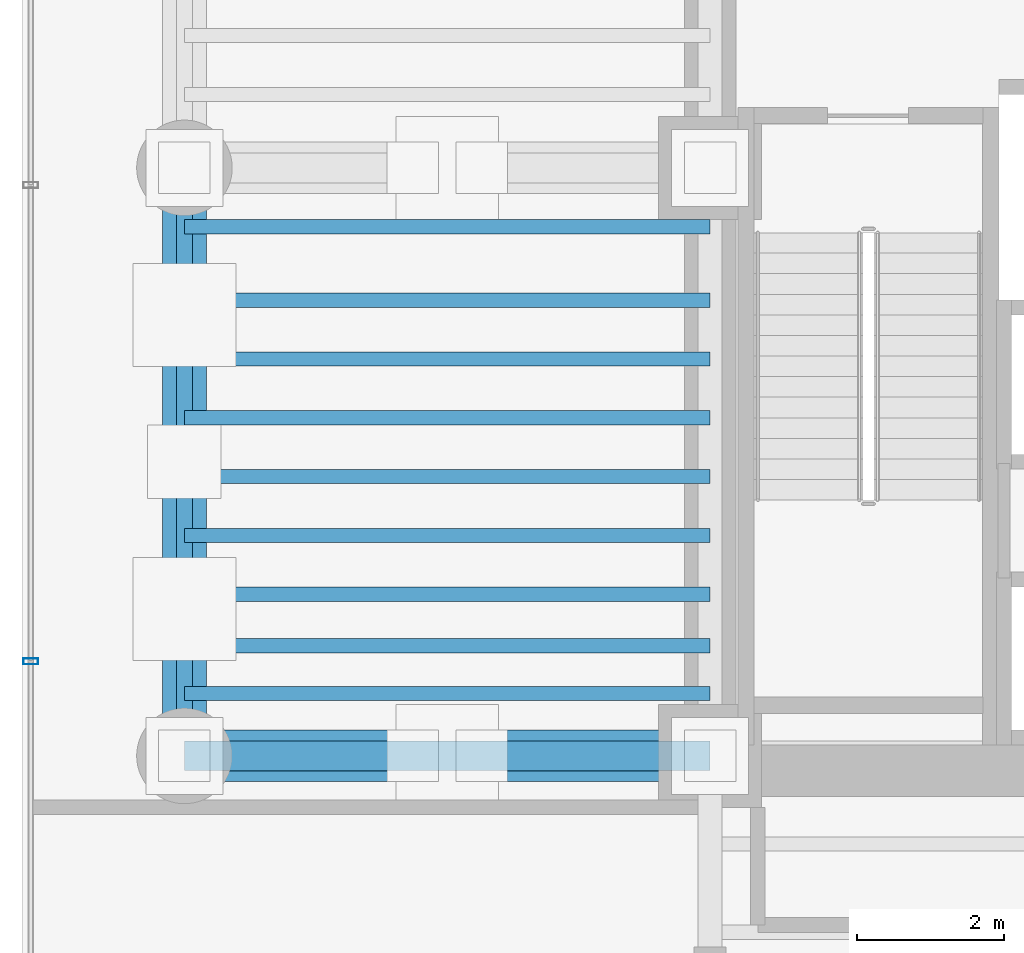
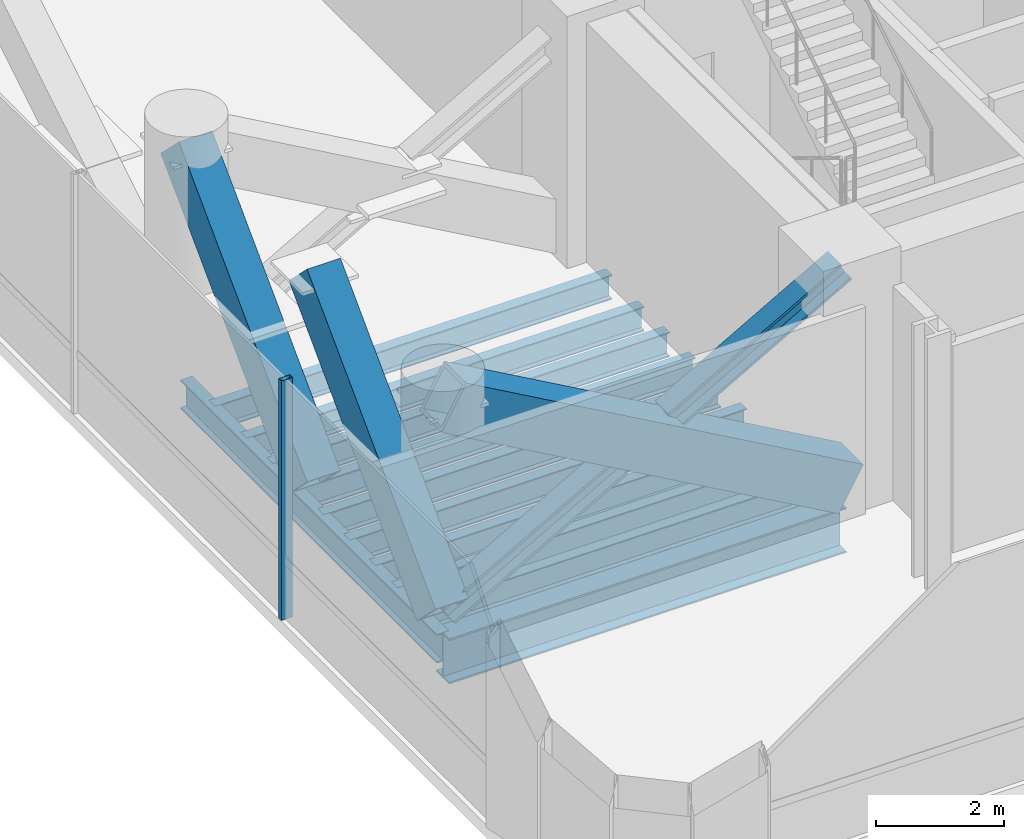
# One storey, part 5 of 39: 11 beams, 6 members, 1 element without a shape of its own.
"""IFC4 building model written with IfcOpenShell, lengths in metres."""

from ifc_helpers import new_model, si_unit, direction, frame, origin, origin_2d, place, context, subcontext, project, spatial, hollow_rectangle, i_section, extrude, source, transform, mapped, material, material_profile, profile_set, type_object, element, aggregate, save


model = new_model("IFC4")

# Units and contexts
model_context = context("Model", 3, precision=1e-05, world=origin(), true_north=direction((0.0, 1.0)))
body_context = subcontext(model_context, "Body", "Model", "MODEL_VIEW")
ifc_project = project(units=[si_unit("LENGTHUNIT", "METRE"), si_unit("AREAUNIT", "SQUARE_METRE"), si_unit("VOLUMEUNIT", "CUBIC_METRE"), si_unit("PLANEANGLEUNIT", "RADIAN"), si_unit("MASSUNIT", "GRAM", prefix="KILO")], contexts=[model_context])

# Site, building, storey
site_placement = place(None, origin())
site = spatial("IfcSite", under=ifc_project, at=site_placement, CompositionType="ELEMENT")
building_placement = place(site_placement, origin())
building = spatial("IfcBuilding", under=site, at=building_placement, Name="Valdorenza Pilgrim Sanctuary Tower", CompositionType="ELEMENT")
storey_placement = place(building_placement, frame((0.0, 0.0, 96.300048828125)))
storey = spatial("IfcBuildingStorey", under=building, at=storey_placement, Name="L24", CompositionType="ELEMENT", Elevation=96.300048828125)

# Beams
ifc_material_1 = material(Name="Steel ASTM A992 Grade 50", Category="steel")
ifc_material_profile_1 = material_profile(ifc_material_1, i_section(OverallWidth=0.214111328125, OverallDepth=0.549072265625, WebThickness=0.0146484375, FlangeThickness=0.023681640625, at=origin_2d()), Name="W21X93")
ifc_profile_set_1 = profile_set([ifc_material_profile_1], Name="Steel ASTM A992 Grade 50")
beam_type_1 = type_object("IfcBeamType", Name="STR-BM-SPN-W21A", PredefinedType="SPANDREL", material=ifc_profile_set_1)
shared_shape_1 = source(origin(), body_context, "Body", "SweptSolid", [
    extrude(i_section(OverallWidth=0.214111328125, OverallDepth=0.549072265625, WebThickness=0.0146484375, FlangeThickness=0.023681640625, at=origin_2d()), origin(), (0.0, 0.0, 1.0), 8.0),
])
beam_1_placement = place(storey_placement, frame((-29.800048828125, -10.60009765625, -0.5146484375), z_axis=(0.0, 1.0, 0.0), x_axis=(-1.0, 0.0, 0.0)))
element("IfcBeam", 1, at=beam_1_placement, inside=storey, type_object=beam_type_1, Name="L24 Spandrel Beam WA-W-S1M0", PredefinedType="SPANDREL", context=body_context, shape_type="MappedRepresentation", body=[
    mapped(shared_shape_1, transform((0.0, 0.0, 0.0), x_axis=(1.0, 0.0, 0.0), y_axis=(0.0, 1.0, 0.0), z_axis=(0.0, 0.0, 1.0), scale=1.0)),
])
ifc_material_profile_2 = material_profile(ifc_material_1, i_section(OverallWidth=0.193115234375, OverallDepth=0.466064453125, WebThickness=0.011474609375, FlangeThickness=0.01904296875, at=origin_2d()), Name="W18X65")
ifc_profile_set_2 = profile_set([ifc_material_profile_2], Name="Steel ASTM A992 Grade 50")
beam_type_2 = type_object("IfcBeamType", Name="STR-BM-JST-W18A", PredefinedType="JOIST", material=ifc_profile_set_2)
shared_shape_2 = source(origin(), body_context, "Body", "SweptSolid", [
    extrude(i_section(OverallWidth=0.193115234375, OverallDepth=0.466064453125, WebThickness=0.011474609375, FlangeThickness=0.01904296875, at=origin_2d()), origin(), (0.0, 0.0, 1.0), 7.150146484375),
])
for number, where, z_axis, x_axis, name in (
    (2, (-29.800048828125, -9.75, -0.47314453125), (1.0, 0.0, 0.0), (0.0, 1.0, 0.0), "L24 Composite Floor Joist JST-WA-1"),
    (3, (-29.800048828125, -9.10009765625, -0.47314453125), (1.0, 0.0, 0.0), (0.0, 1.0, 0.0), "L24 Composite Floor Joist JST-WA-2"),
    (4, (-29.800048828125, -8.39990234375, -0.47314453125), (1.0, 0.0, 0.0), (0.0, 1.0, 0.0), "L24 Composite Floor Joist JST-WA-3"),
    (5, (-29.800048828125, -7.60009765625, -0.47314453125), (1.0, 0.0, 0.0), (0.0, 1.0, 0.0), "L24 Composite Floor Joist JST-WA-4"),
    (6, (-29.800048828125, -6.800048828125, -0.47314453125), (1.0, 0.0, 0.0), (0.0, 1.0, 0.0), "L24 Composite Floor Joist JST-WA-5"),
    (7, (-29.800048828125, -6.0, -0.47314453125), (1.0, 0.0, 0.0), (0.0, 1.0, 0.0), "L24 Composite Floor Joist JST-WA-6"),
    (8, (-29.800048828125, -5.199951171875, -0.47314453125), (1.0, 0.0, 0.0), (0.0, 1.0, 0.0), "L24 Composite Floor Joist JST-WA-7"),
    (9, (-29.800048828125, -4.39990234375, -0.47314453125), (1.0, 0.0, 0.0), (0.0, 1.0, 0.0), "L24 Composite Floor Joist JST-WA-8"),
    (10, (-29.800048828125, -3.39990234375, -0.47314453125), (1.0, 0.0, 0.0), (0.0, 1.0, 0.0), "L24 Composite Floor Joist JST-WA-9"),
):
    element("IfcBeam", number, at=place(storey_placement, frame(where, z_axis=z_axis, x_axis=x_axis)), inside=storey, type_object=beam_type_2, Name=name, PredefinedType="JOIST", context=body_context, shape_type="MappedRepresentation", body=[
        mapped(shared_shape_2, transform((0.0, 0.0, 0.0), x_axis=(1.0, 0.0, 0.0), y_axis=(0.0, 1.0, 0.0), z_axis=(0.0, 0.0, 1.0), scale=1.0)),
    ])
ifc_material_profile_3 = material_profile(ifc_material_1, i_section(OverallWidth=0.39990234375, OverallDepth=0.862060546875, WebThickness=0.019775390625, FlangeThickness=0.032470703125, at=origin_2d()), Name="W33X221")
ifc_profile_set_3 = profile_set([ifc_material_profile_3], Name="Steel ASTM A992 Grade 50")
beam_type_3 = type_object("IfcBeamType", Name="STR-BM-GRD-W33", PredefinedType="BEAM", material=ifc_profile_set_3)
shared_shape_3 = source(origin(), body_context, "Body", "SweptSolid", [
    extrude(i_section(OverallWidth=0.39990234375, OverallDepth=0.862060546875, WebThickness=0.019775390625, FlangeThickness=0.032470703125, at=origin_2d()), origin(), (0.0, 0.0, 1.0), 7.150146484375),
])
beam_2_placement = place(storey_placement, frame((-29.800048828125, -10.60009765625, -0.671142578125), z_axis=(1.0, 0.0, 0.0), x_axis=(0.0, 1.0, 0.0)))
element("IfcBeam", 11, at=beam_2_placement, inside=storey, type_object=beam_type_3, Name="L24 Floor Girder WA-XW-S1", PredefinedType="BEAM", context=body_context, shape_type="MappedRepresentation", body=[
    mapped(shared_shape_3, transform((0.0, 0.0, 0.0), x_axis=(1.0, 0.0, 0.0), y_axis=(0.0, 1.0, 0.0), z_axis=(0.0, 0.0, 1.0), scale=1.0)),
])

# Members
ifc_material_2 = material(Name="Steel ASTM A572 Grade 42", Category="steel")
ifc_material_profile_4 = material_profile(ifc_material_2, hollow_rectangle(XDim=0.699951171875, YDim=0.89990234375, WallThickness=0.070068359375, at=origin_2d()), Name="BOX 900x700x70")
ifc_profile_set_4 = profile_set([ifc_material_profile_4], Name="Steel ASTM A572 Grade 42")
member_type_1 = type_object("IfcMemberType", Name="STR-MB-OUT-BOX900", PredefinedType="BRACE", material=ifc_profile_set_4)
shared_shape_4 = source(origin(), body_context, "Body", "SweptSolid", [
    extrude(hollow_rectangle(XDim=0.699951171875, YDim=0.89990234375, WallThickness=0.070068359375, at=origin_2d()), origin(), (0.0, 0.0, 1.0), 8.217529296875),
])
member_1_placement = place(storey_placement, frame((-22.64990234375, -10.60009765625, 0.199951171875), z_axis=(-0.870110951325, 0.0, 0.492855894135), x_axis=(0.0, -1.0, 0.0)))
element("IfcMember", 12, at=member_1_placement, inside=storey, type_object=member_type_1, Name="L24 Outrigger Truss Diagonal WA1A", PredefinedType="BRACE", context=body_context, shape_type="MappedRepresentation", body=[
    mapped(shared_shape_4, transform((0.0, 0.0, 0.0), x_axis=(1.0, 0.0, 0.0), y_axis=(0.0, 1.0, 0.0), z_axis=(0.0, 0.0, 1.0), scale=1.0)),
])
ifc_material_profile_5 = material_profile(ifc_material_1, i_section(OverallWidth=0.406005859375, OverallDepth=0.416015625, WebThickness=0.02978515625, FlangeThickness=0.048095703125, at=origin_2d()), Name="W14X257")
ifc_profile_set_5 = profile_set([ifc_material_profile_5], Name="Steel ASTM A992 Grade 50")
member_type_2 = type_object("IfcMemberType", Name="STR-MB-OUT-W257", PredefinedType="BRACE", material=ifc_profile_set_5)
shared_shape_5 = source(origin(), body_context, "Body", "SweptSolid", [
    extrude(i_section(OverallWidth=0.406005859375, OverallDepth=0.416015625, WebThickness=0.02978515625, FlangeThickness=0.048095703125, at=origin_2d()), origin(), (0.0, 0.0, 1.0), 3.572021484375),
])
for number, where, z_axis, x_axis, name in (
    (13, (-22.64990234375, -10.60009765625, 4.25), (-0.87011695789, 0.0, -0.492845289714), (0.0, -1.0, 0.0), "L24 Outrigger Truss Counter-Diagonal WA1B Lower Segment"),
    (14, (-26.69189453125, -10.60009765625, 1.96044921875), (-0.87011695789, 0.0, -0.492845289714), (0.0, -1.0, 0.0), "L24 Outrigger Truss Counter-Diagonal WA1B Upper Segment"),
):
    element("IfcMember", number, at=place(storey_placement, frame(where, z_axis=z_axis, x_axis=x_axis)), inside=storey, type_object=member_type_2, Name=name, PredefinedType="BRACE", context=body_context, shape_type="MappedRepresentation", body=[
        mapped(shared_shape_5, transform((0.0, 0.0, 0.0), x_axis=(1.0, 0.0, 0.0), y_axis=(0.0, 1.0, 0.0), z_axis=(0.0, 0.0, 1.0), scale=1.0)),
    ])
ifc_material_profile_6 = material_profile(ifc_material_2, hollow_rectangle(XDim=0.60009765625, YDim=0.800048828125, WallThickness=0.06005859375, at=origin_2d()), Name="BOX 800x600x60")
ifc_profile_set_6 = profile_set([ifc_material_profile_6], Name="Steel ASTM A572 Grade 42")
member_type_3 = type_object("IfcMemberType", Name="STR-MB-BLT-BOX800", PredefinedType="BRACE", material=ifc_profile_set_6)
shared_shape_6 = source(origin(), body_context, "Body", "SweptSolid", [
    extrude(hollow_rectangle(XDim=0.60009765625, YDim=0.800048828125, WallThickness=0.06005859375, at=origin_2d()), origin(), (0.0, 0.0, 1.0), 5.6923828125),
])
for number, where, z_axis, x_axis, name in (
    (15, (-29.800048828125, -10.60009765625, 0.199951171875), (0.0, 0.702696970457, 0.711489260432), (-1.0, 0.0, 0.0), "L24 Perimeter Belt Truss Diagonal W1"),
    (16, (-29.800048828125, -6.60009765625, 0.199951171875), (0.0, 0.702696970457, 0.711489260432), (-1.0, 0.0, 0.0), "L24 Perimeter Belt Truss Diagonal W2"),
):
    element("IfcMember", number, at=place(storey_placement, frame(where, z_axis=z_axis, x_axis=x_axis)), inside=storey, type_object=member_type_3, Name=name, PredefinedType="BRACE", context=body_context, shape_type="MappedRepresentation", body=[
        mapped(shared_shape_6, transform((0.0, 0.0, 0.0), x_axis=(1.0, 0.0, 0.0), y_axis=(0.0, 1.0, 0.0), z_axis=(0.0, 0.0, 1.0), scale=1.0)),
    ])

# Curtain wall, member
ifc_material_3 = material(Name="Curtain-wall IGU glazing", Category="glass")
curtain_wall_type = type_object("IfcCurtainWallType", Name="CW-SYS-02", PredefinedType="NOTDEFINED", material=ifc_material_3)
curtain_wall_placement = place(storey_placement, origin())
curtain_wall = element("IfcCurtainWall", 17, at=curtain_wall_placement, inside=storey, type_object=curtain_wall_type, Name="L24 Curtain Wall CW-L24-1-1", PredefinedType="NOTDEFINED")
ifc_material_4 = material(Name="Anodised aluminium AW-6060", Category="aluminium")
ifc_material_profile_7 = material_profile(ifc_material_4, hollow_rectangle(XDim=0.0849609375, YDim=0.199951171875, WallThickness=0.0048828125, at=origin_2d()), Name="ALU-M 200x85x5")
ifc_profile_set_7 = profile_set([ifc_material_profile_7], Name="Anodised aluminium AW-6060")
member_type_4 = type_object("IfcMemberType", Name="CW-MUL-02", PredefinedType="MULLION", material=ifc_profile_set_7)
shared_shape_7 = source(origin(), body_context, "Body", "SweptSolid", [
    extrude(hollow_rectangle(XDim=0.0849609375, YDim=0.199951171875, WallThickness=0.0048828125, at=origin_2d()), origin(), (0.0, 0.0, 1.0), 4.56005859375),
])
member_2_placement = place(storey_placement, frame((-31.889892578125, -9.3125, 0.0), z_axis=(0.0, 0.0, 1.0), x_axis=(0.0, 1.0, 0.0)))
member_2 = element("IfcMember", 18, at=member_2_placement, type_object=member_type_4, Name="CW-L24-1-1 Mullion 2", PredefinedType="MULLION", context=body_context, shape_type="MappedRepresentation", body=[
    mapped(shared_shape_7, transform((0.0, 0.0, 0.0), x_axis=(1.0, 0.0, 0.0), y_axis=(0.0, 1.0, 0.0), z_axis=(0.0, 0.0, 1.0), scale=1.0)),
])
aggregate(curtain_wall, [member_2])

save(model, "model.ifc")
